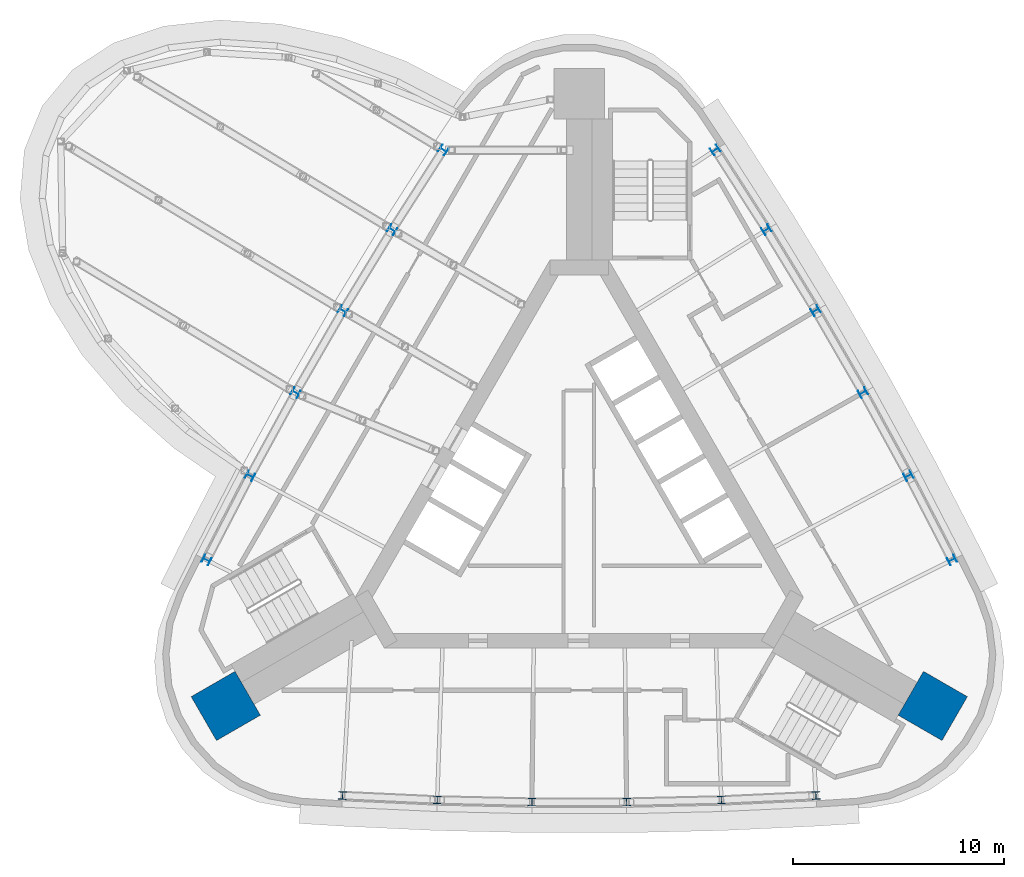
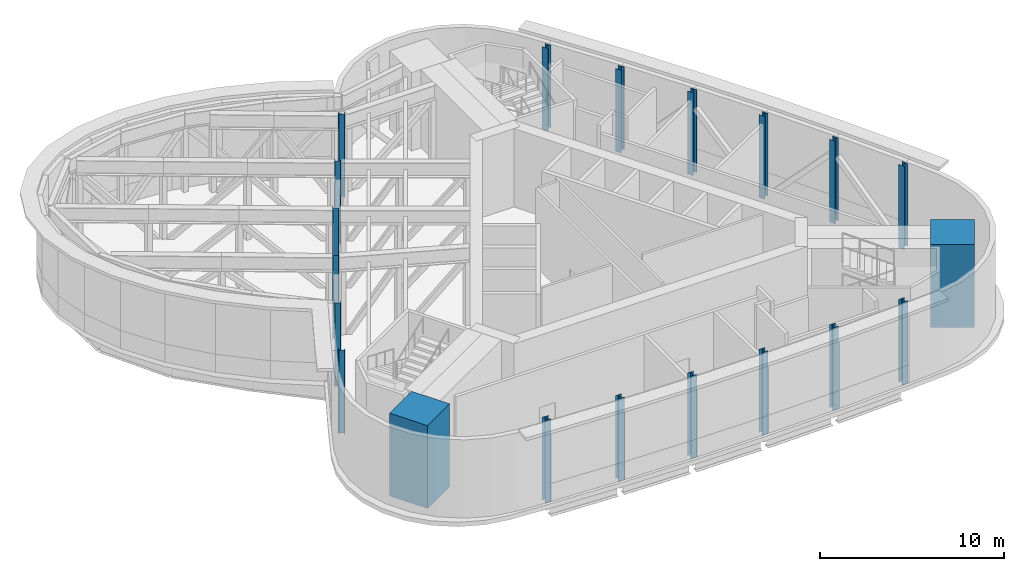
# One storey, part 1 of 11: 20 columns.
"""IFC4 building model written with IfcOpenShell, lengths in metres."""

from ifc_helpers import new_model, si_unit, direction, frame, origin, origin_2d, place, context, subcontext, project, spatial, rectangle, i_section, extrude, material, material_profile, profile_set, type_object, element, save


model = new_model("IFC4")

# Units and contexts
model_context = context("Model", 3, precision=1e-05, world=origin(), true_north=direction((0.0, 1.0)))
body_context = subcontext(model_context, "Body", "Model", "MODEL_VIEW")
ifc_project = project(units=[si_unit("LENGTHUNIT", "METRE"), si_unit("AREAUNIT", "SQUARE_METRE"), si_unit("VOLUMEUNIT", "CUBIC_METRE"), si_unit("PLANEANGLEUNIT", "RADIAN"), si_unit("MASSUNIT", "GRAM", prefix="KILO")], contexts=[model_context])

# Site, building, storey
site_placement = place(None, origin())
site = spatial("IfcSite", under=ifc_project, at=site_placement, CompositionType="ELEMENT")
building_placement = place(site_placement, origin())
building = spatial("IfcBuilding", under=site, at=building_placement, Name="Noor Cloister Tower", CompositionType="ELEMENT")
storey_placement = place(building_placement, frame((0.0, 0.0, 258.0)))
storey = spatial("IfcBuildingStorey", under=building, at=storey_placement, Name="L66", CompositionType="ELEMENT", Elevation=258.0)

# Columns
ifc_material_1 = material(Name="Steel ASTM A992 Gr 50", Category="steel")
ifc_material_profile_1 = material_profile(ifc_material_1, i_section(OverallWidth=0.37109375, OverallDepth=0.361083984375, WebThickness=0.01220703125, FlangeThickness=0.019775390625, FilletRadius=0.015380859375, at=origin_2d()), Name="W360x147")
ifc_profile_set_1 = profile_set([ifc_material_profile_1], Name="Steel ASTM A992 Gr 50")
column_type_1 = type_object("IfcColumnType", Name="Column W360x147", PredefinedType="COLUMN", material=ifc_profile_set_1)
for number, where, z_axis, x_axis, name in (
    (1, (-6.441650390625, 16.66552734375, -0.300048828125), (0.0, 0.0, 1.0), (-0.549344612048, -0.835595893488, 0.0), "Column NW 01 L66"),
    (2, (-8.863037109375, 12.8876953125, -0.300048828125), (0.0, 0.0, 1.0), (-0.529819164802, -0.84811063701, 0.0), "Column NW 02 L66"),
    (3, (-11.196044921875, 9.0546875, -0.300048828125), (0.0, 0.0, 1.0), (-0.51000874803, -0.860169214127, 0.0), "Column NW 03 L66"),
    (4, (-13.439697265625, 5.168701171875, -0.300048828125), (0.0, 0.0, 1.0), (-0.489924016972, -0.87176513901, 0.0), "Column NW 04 L66"),
    (5, (-15.592529296875, 1.231689453125, -0.300048828125), (0.0, 0.0, 1.0), (-0.469575774469, -0.882892174635, 0.0), "Column NW 05 L66"),
    (6, (-17.653564453125, -2.75390625, -0.300048828125), (0.0, 0.0, 1.0), (-0.448974965035, -0.893544336209, 0.0), "Column NW 06 L66"),
    (7, (-11.2119140625, -13.911376953125, -0.300048828125), (0.0, 0.0, 1.0), (0.998319577082, -0.057948442721, 0.0), "Column S 01 L66"),
    (8, (-6.7294921875, -14.119384765625, -0.300048828125), (0.0, 0.0, 1.0), (0.999394939271, -0.034781537625, 0.0), "Column S 02 L66"),
    (9, (-2.24365234375, -14.2236328125, -0.300048828125), (0.0, 0.0, 1.0), (0.999932765003, -0.011595924883, 0.0), "Column S 03 L66"),
    (10, (2.24365234375, -14.2236328125, -0.300048828125), (0.0, 0.0, 1.0), (0.999932765003, 0.011595924883, 0.0), "Column S 04 L66"),
    (11, (6.7294921875, -14.119384765625, -0.300048828125), (0.0, 0.0, 1.0), (0.999394939271, 0.034781537625, 0.0), "Column S 05 L66"),
    (12, (11.2119140625, -13.911376953125, -0.300048828125), (0.0, 0.0, 1.0), (0.998319577082, 0.057948442721, 0.0), "Column S 06 L66"),
    (13, (17.653564453125, -2.75390625, -0.300048828125), (0.0, 0.0, 1.0), (-0.448974965035, 0.893544336209, 0.0), "Column NE 01 L66"),
    (14, (15.592529296875, 1.231689453125, -0.300048828125), (0.0, 0.0, 1.0), (-0.469575774469, 0.882892174635, 0.0), "Column NE 02 L66"),
    (15, (13.439697265625, 5.168701171875, -0.300048828125), (0.0, 0.0, 1.0), (-0.489924016972, 0.87176513901, 0.0), "Column NE 03 L66"),
    (16, (11.196044921875, 9.0546875, -0.300048828125), (0.0, 0.0, 1.0), (-0.51000874803, 0.860169214127, 0.0), "Column NE 04 L66"),
    (17, (8.863037109375, 12.8876953125, -0.300048828125), (0.0, 0.0, 1.0), (-0.529819164802, 0.84811063701, 0.0), "Column NE 05 L66"),
    (18, (6.441650390625, 16.66552734375, -0.300048828125), (0.0, 0.0, 1.0), (-0.549344612048, 0.835595893488, 0.0), "Column NE 06 L66"),
):
    element("IfcColumn", number, at=place(storey_placement, frame(where, z_axis=z_axis, x_axis=x_axis)), inside=storey, type_object=column_type_1, Name=name, PredefinedType="COLUMN", context=body_context, shape_type="SweptSolid", body=[
        extrude(i_section(OverallWidth=0.37109375, OverallDepth=0.361083984375, WebThickness=0.01220703125, FlangeThickness=0.019775390625, FilletRadius=0.015380859375, at=origin_2d()), origin(), (0.0, 0.0, 1.0), 5.5),
    ])
ifc_material_2 = material(Name="Concrete C60/75", Category="concrete")
ifc_material_profile_2 = material_profile(ifc_material_2, rectangle(XDim=2.39990234375, YDim=2.39990234375, at=origin_2d()), Name="RC 2400x2400")
ifc_profile_set_2 = profile_set([ifc_material_profile_2], Name="Concrete C60/75")
column_type_2 = type_object("IfcColumnType", Name="Corner pier 2400 x 2400 C60/75", PredefinedType="COLUMN", material=ifc_profile_set_2)
for number, where, z_axis, x_axis, name in (
    (19, (-16.74462890625, -9.66748046875, -0.300048828125), (0.0, 0.0, 1.0), (-0.866025403784, -0.5, 0.0), "Corner pier SW L66"),
    (20, (16.74462890625, -9.66748046875, -0.300048828125), (0.0, 0.0, 1.0), (0.866025403784, -0.5, 0.0), "Corner pier SE L66"),
):
    element("IfcColumn", number, at=place(storey_placement, frame(where, z_axis=z_axis, x_axis=x_axis)), inside=storey, type_object=column_type_2, Name=name, PredefinedType="COLUMN", context=body_context, shape_type="SweptSolid", body=[
        extrude(rectangle(XDim=2.39990234375, YDim=2.39990234375, at=origin_2d()), origin(), (0.0, 0.0, 1.0), 5.5),
    ])

save(model, "model.ifc")
